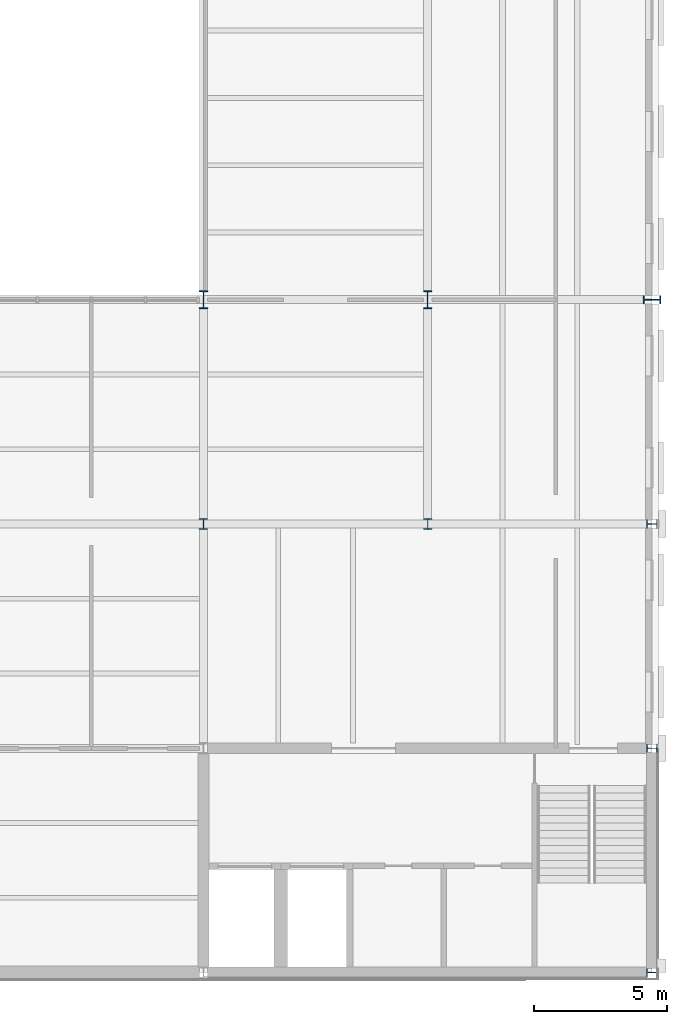
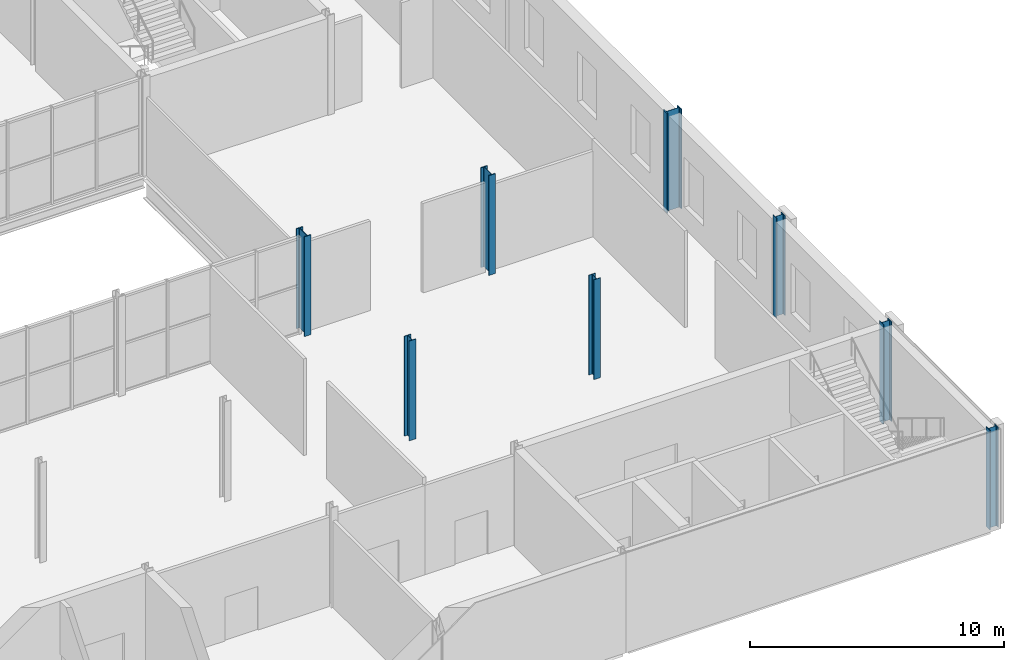
# One storey, part 6 of 57: 8 columns.
"""IFC4 building model written with IfcOpenShell, lengths in metres."""

from ifc_helpers import new_model, si_unit, direction, frame, origin, origin_2d, place, context, subcontext, project, spatial, i_section, extrude, material, material_profile, profile_set, type_object, element, save


model = new_model("IFC4")

# Units and contexts
model_context = context("Model", 3, precision=1e-05, world=origin(), true_north=direction((0.0, 1.0)))
body_context = subcontext(model_context, "Body", "Model", "MODEL_VIEW")
ifc_project = project(units=[si_unit("LENGTHUNIT", "METRE"), si_unit("AREAUNIT", "SQUARE_METRE"), si_unit("VOLUMEUNIT", "CUBIC_METRE"), si_unit("PLANEANGLEUNIT", "RADIAN"), si_unit("MASSUNIT", "GRAM", prefix="KILO")], contexts=[model_context])

# Site, building, storey
site_placement = place(None, origin())
site = spatial("IfcSite", under=ifc_project, at=site_placement, CompositionType="ELEMENT")
building_placement = place(site_placement, origin())
building = spatial("IfcBuilding", under=site, at=building_placement, Name="Galleria Vessillo Department Store", CompositionType="ELEMENT")
storey_placement = place(building_placement, frame((0.0, 0.0, 21.0)))
storey = spatial("IfcBuildingStorey", under=building, at=storey_placement, Name="L04", CompositionType="ELEMENT", Elevation=21.0)

# Columns
ifc_material_1 = material(Name="Steel S355 J2", Category="steel")
ifc_material_profile_1 = material_profile(ifc_material_1, i_section(OverallWidth=0.300048828125, OverallDepth=0.39990234375, WebThickness=0.013427734375, FlangeThickness=0.02392578125, FilletRadius=0.027099609375, at=origin_2d()), Name="HEB 400")
ifc_profile_set_1 = profile_set([ifc_material_profile_1], Name="Steel S355 J2")
column_type_1 = type_object("IfcColumnType", Name="Steel column HEB 400 CP2", PredefinedType="COLUMN", material=ifc_profile_set_1)
for number, where, z_axis, x_axis, name in (
    (1, (100.800048828125, 16.800048828125, 0.0), (0.0, 0.0, 1.0), (1.0, 0.0, 0.0), "S-COL-L04-13-C"),
    (2, (109.199951171875, 16.800048828125, 0.0), (0.0, 0.0, 1.0), (1.0, 0.0, 0.0), "S-COL-L04-14-C"),
    (3, (117.60009765625, 0.0, 0.0), (0.0, 0.0, 1.0), (0.0, 1.0, 0.0), "S-COL-L04-15-A"),
    (4, (117.60009765625, 8.39990234375, 0.0), (0.0, 0.0, 1.0), (0.0, 1.0, 0.0), "S-COL-L04-15-B"),
    (5, (117.60009765625, 16.800048828125, 0.0), (0.0, 0.0, 1.0), (0.0, 1.0, 0.0), "S-COL-L04-15-C"),
):
    element("IfcColumn", number, at=place(storey_placement, frame(where, z_axis=z_axis, x_axis=x_axis)), inside=storey, type_object=column_type_1, Name=name, PredefinedType="COLUMN", context=body_context, shape_type="SweptSolid", body=[
        extrude(i_section(OverallWidth=0.300048828125, OverallDepth=0.39990234375, WebThickness=0.013427734375, FlangeThickness=0.02392578125, FilletRadius=0.027099609375, at=origin_2d()), origin(), (0.0, 0.0, 1.0), 4.800048828125),
    ])
ifc_material_2 = material(Name="Steel S355 J2", Category="steel")
ifc_material_profile_2 = material_profile(ifc_material_2, i_section(OverallWidth=0.304931640625, OverallDepth=0.66796875, WebThickness=0.02099609375, FlangeThickness=0.0400390625, FilletRadius=0.027099609375, at=origin_2d()), Name="HEM 650")
ifc_profile_set_2 = profile_set([ifc_material_profile_2], Name="Steel S355 J2")
column_type_2 = type_object("IfcColumnType", Name="Steel column HEM 650 CV3", PredefinedType="COLUMN", material=ifc_profile_set_2)
for number, where, z_axis, x_axis, name in (
    (6, (100.800048828125, 25.199951171875, 0.0), (0.0, 0.0, 1.0), (1.0, 0.0, 0.0), "S-COL-L04-13-D"),
    (7, (109.199951171875, 25.199951171875, 0.0), (0.0, 0.0, 1.0), (1.0, 0.0, 0.0), "S-COL-L04-14-D"),
    (8, (117.60009765625, 25.199951171875, 0.0), (0.0, 0.0, 1.0), (0.0, 1.0, 0.0), "S-COL-L04-15-D"),
):
    element("IfcColumn", number, at=place(storey_placement, frame(where, z_axis=z_axis, x_axis=x_axis)), inside=storey, type_object=column_type_2, Name=name, PredefinedType="COLUMN", context=body_context, shape_type="SweptSolid", body=[
        extrude(i_section(OverallWidth=0.304931640625, OverallDepth=0.66796875, WebThickness=0.02099609375, FlangeThickness=0.0400390625, FilletRadius=0.027099609375, at=origin_2d()), origin(), (0.0, 0.0, 1.0), 4.800048828125),
    ])

save(model, "model.ifc")
